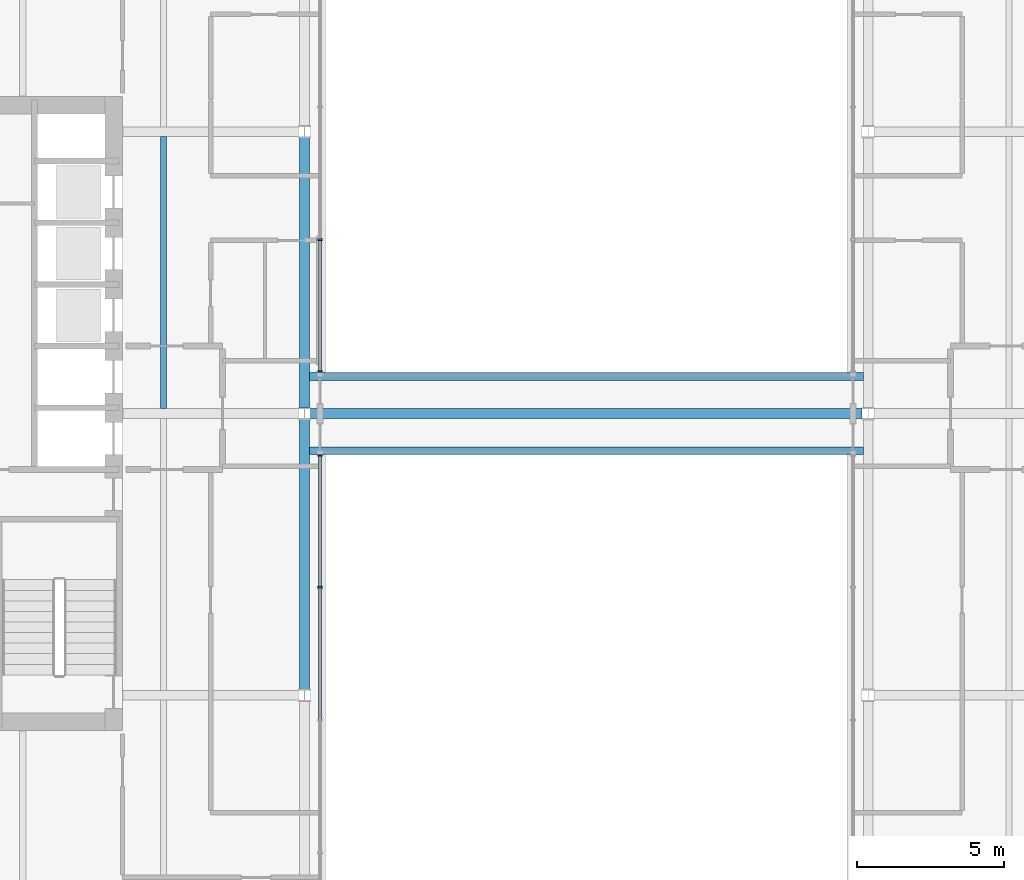
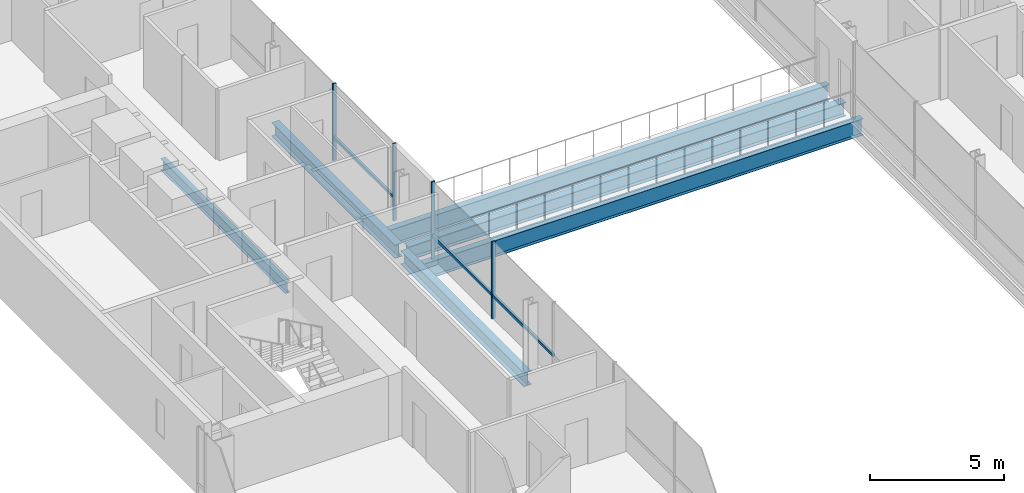
# One storey, part 3 of 21: 7 members, 6 beams, 2 elements without a shape of their own.
"""IFC4 building model written with IfcOpenShell, lengths in metres."""

import ifcopenshell
import ifcopenshell.guid

model = None  # the IFC model being written
_history = None  # IfcOwnerHistory: only IFC2X3 demands one
_inside = {}  # id of a spatial element -> (the spatial element, [elements in it])
_under = {}  # id of a project, library or spatial element -> (it, [spatial elements below it])
_declared = {}  # id of a project -> (the project, [libraries it declares])
_typed = {}  # id of a type object -> (the type object, [elements of that type])
_made_of = {}  # id of a material, layer set ... -> (it, [elements and type objects made of it])


def new_model(schema):
    """Start an empty IFC model of exactly this schema.

    Asked for "IFC4X3", IfcOpenShell would pick the latest addendum, in which some entities
    have other attributes; the version numbers below select the first issue.
    IFC2X3 requires an IfcOwnerHistory on every rooted entity: one is made here for all.
    """
    global model, _history
    if schema == "IFC4X3":
        model = ifcopenshell.file(schema_version=(4, 3, 0, 0))
    else:
        model = ifcopenshell.file(schema=schema)
    _inside.clear()
    _under.clear()
    _declared.clear()
    _typed.clear()
    _made_of.clear()
    _history = None
    if model.schema == "IFC2X3":
        org = make("IfcOrganization", Name="unknown")
        user = make(
            "IfcPersonAndOrganization",
            ThePerson=make("IfcPerson", FamilyName="unknown"),
            TheOrganization=org,
        )
        app = make(
            "IfcApplication",
            ApplicationDeveloper=org,
            Version="unknown",
            ApplicationFullName="unknown",
            ApplicationIdentifier="unknown",
        )
        _history = make(
            "IfcOwnerHistory",
            OwningUser=user,
            OwningApplication=app,
            ChangeAction="ADDED",
            CreationDate=0,
        )
    return model


def make(cls, **values):
    """One entity of the class cls with the attributes given. An attribute that is None is left unset."""
    return model.create_entity(
        cls, **{name: value for name, value in values.items() if value is not None}
    )


def rooted(cls, **values):
    """An entity with a GlobalId (a new one), such as an element, a storey or a relation."""
    return make(cls, GlobalId=ifcopenshell.guid.new(), OwnerHistory=_history, **values)


def si_unit(unit_type, name, prefix=None):
    """IfcSIUnit, for example si_unit("LENGTHUNIT", "METRE", prefix="MILLI")."""
    return make("IfcSIUnit", UnitType=unit_type, Prefix=prefix, Name=name)


def assignment(units):
    """IfcUnitAssignment: the units of a project."""
    return None if units is None else make("IfcUnitAssignment", Units=units)


def point(xyz):
    """IfcCartesianPoint."""
    return None if xyz is None else make("IfcCartesianPoint", Coordinates=xyz)


def direction(xyz):
    """IfcDirection."""
    return None if xyz is None else make("IfcDirection", DirectionRatios=xyz)


def frame(location, z_axis=None, x_axis=None):
    """IfcAxis2Placement3D, a coordinate frame: its origin and axes. An axis left out is left unset."""
    return make(
        "IfcAxis2Placement3D",
        Location=point(location),
        Axis=direction(z_axis),
        RefDirection=direction(x_axis),
    )


def frame_2d(location, x_axis=None):
    """IfcAxis2Placement2D, a coordinate frame in the plane: its origin and x axis."""
    return make(
        "IfcAxis2Placement2D", Location=point(location), RefDirection=direction(x_axis)
    )


def origin():
    """The frame at (0, 0, 0) with its axes left unset."""
    return frame((0.0, 0.0, 0.0))


def origin_2d():
    """The frame at (0, 0) in the plane with its x axis left unset."""
    return frame_2d((0.0, 0.0))


def place(relative_to, where):
    """IfcLocalPlacement: puts the frame where relative to a parent placement (None: the world)."""
    return make(
        "IfcLocalPlacement", PlacementRelTo=relative_to, RelativePlacement=where
    )


def context(
    kind, dimensions, precision=None, world=None, true_north=None, identifier=None
):
    """IfcGeometricRepresentationContext, for example the 3D "Model" context."""
    return make(
        "IfcGeometricRepresentationContext",
        ContextIdentifier=identifier,
        ContextType=kind,
        CoordinateSpaceDimension=dimensions,
        Precision=precision,
        WorldCoordinateSystem=world,
        TrueNorth=true_north,
    )


def subcontext(parent, identifier, kind, view, scale=None):
    """IfcGeometricRepresentationSubContext, for example "Body" below "Model"."""
    return make(
        "IfcGeometricRepresentationSubContext",
        ContextIdentifier=identifier,
        ContextType=kind,
        ParentContext=parent,
        TargetScale=scale,
        TargetView=view,
    )


def project(units=None, contexts=None):
    """IfcProject with its units and contexts."""
    return rooted(
        "IfcProject",
        Name="project",
        RepresentationContexts=contexts,
        UnitsInContext=assignment(units),
    )


def spatial(cls, under=None, at=None, **own):
    """A site, building, storey or space (cls), placed at a placement, below another one or the project."""
    s = rooted(cls, ObjectPlacement=at, **own)
    if under is not None:
        _under.setdefault(under.id(), (under, []))[1].append(s)
    return s


def profile(cls, at=None, kind="AREA", **sizes):
    """A parametric profile (cls). Its sizes go by their IFC names, for example OverallWidth=200.0."""
    return make(cls, ProfileType=kind, Position=at, **sizes)


def rectangle(**sizes):
    """IfcRectangleProfileDef."""
    return profile("IfcRectangleProfileDef", **sizes)


def i_section(**sizes):
    """IfcIShapeProfileDef."""
    return profile("IfcIShapeProfileDef", **sizes)


def extrude(swept, where, along, depth):
    """IfcExtrudedAreaSolid: the profile swept, set in the frame where, extruded along a direction by depth."""
    return make(
        "IfcExtrudedAreaSolid",
        SweptArea=swept,
        Position=where,
        ExtrudedDirection=direction(along),
        Depth=depth,
    )


def shape(context_of_items, identifier, shape_type, items):
    """IfcShapeRepresentation: the items that make up one representation, for example the "Body"."""
    return make(
        "IfcShapeRepresentation",
        ContextOfItems=context_of_items,
        RepresentationIdentifier=identifier,
        RepresentationType=shape_type,
        Items=items,
    )


def material(Name=None, Category=None):
    """IfcMaterial."""
    return make("IfcMaterial", Name=Name, Category=Category)


def material_profile(
    of_material, cross_section, Name=None, Category=None, Priority=None
):
    """IfcMaterialProfile: a cross section and its material."""
    return make(
        "IfcMaterialProfile",
        Name=Name,
        Material=of_material,
        Profile=cross_section,
        Priority=Priority,
        Category=Category,
    )


def profile_set(profiles, Name=None, composite=None):
    """IfcMaterialProfileSet."""
    return make(
        "IfcMaterialProfileSet",
        Name=Name,
        MaterialProfiles=profiles,
        CompositeProfile=composite,
    )


def made_of(thing, what):
    """Note that an element or type object is made of a material, layer set ...; save() writes the relation."""
    if what is not None:
        _made_of.setdefault(what.id(), (what, []))[1].append(thing)
    return thing


def type_object(cls, material=None, **own):
    """A type object (cls), such as IfcWallType, which elements share."""
    return made_of(rooted(cls, **own), material)


def element(
    cls,
    number,
    at=None,
    inside=None,
    cuts=None,
    type_object=None,
    material=None,
    context=None,
    identifier="Body",
    shape_type=None,
    held_by="IfcProductDefinitionShape",
    body=None,
    shapes=None,
    **own,
):
    """One element of the class cls, such as IfcWall. Its Tag is "e" and its number.

    at: its placement. inside: the storey or other place that contains it. cuts: it is an
    opening in that element (IfcRelVoidsElement). A single representation is given by context,
    identifier, shape_type and body (its items); several are given by shapes. held_by: the class
    of the entity that holds the representations. save() writes the other relations.
    """
    e = rooted(cls, Tag="e%d" % number, ObjectPlacement=at, **own)
    if body is not None:
        shapes = [shape(context, identifier, shape_type, body)]
    if shapes is not None:
        e.Representation = make(held_by, Representations=shapes)
    if inside is not None:
        _inside.setdefault(inside.id(), (inside, []))[1].append(e)
    if cuts is not None:
        rooted(
            "IfcRelVoidsElement", RelatingBuildingElement=cuts, RelatedOpeningElement=e
        )
    if type_object is not None:
        _typed.setdefault(type_object.id(), (type_object, []))[1].append(e)
    return made_of(e, material)


def aggregate(whole, parts):
    """IfcRelAggregates: a whole, such as a stair, and the parts it consists of."""
    return rooted("IfcRelAggregates", RelatingObject=whole, RelatedObjects=parts)


def save(model, path):
    """Write the relations noted so far, then the file.

    IfcRelAggregates (storeys below a building ...), IfcRelContainedInSpatialStructure (elements
    in a storey), IfcRelDefinesByType, IfcRelAssociatesMaterial and IfcRelDeclares: one each for
    every whole, place, type object, material and project.
    """
    for whole, parts in _under.values():
        aggregate(whole, parts)
    for where, things in _inside.values():
        rooted(
            "IfcRelContainedInSpatialStructure",
            RelatedElements=things,
            RelatingStructure=where,
        )
    for kind, things in _typed.values():
        rooted("IfcRelDefinesByType", RelatedObjects=things, RelatingType=kind)
    for what, things in _made_of.values():
        rooted("IfcRelAssociatesMaterial", RelatedObjects=things, RelatingMaterial=what)
    for by, libraries in _declared.values():
        rooted("IfcRelDeclares", RelatingContext=by, RelatedDefinitions=libraries)
    model.write(path)


model = new_model("IFC4")

# Units and contexts
model_context = context("Model", 3, precision=1e-05, world=origin(), true_north=direction((0.0, 1.0)))
body_context = subcontext(model_context, "Body", "Model", "MODEL_VIEW")
ifc_project = project(units=[si_unit("LENGTHUNIT", "METRE"), si_unit("AREAUNIT", "SQUARE_METRE"), si_unit("VOLUMEUNIT", "CUBIC_METRE"), si_unit("PLANEANGLEUNIT", "RADIAN"), si_unit("MASSUNIT", "GRAM", prefix="KILO")], contexts=[model_context])

# Site, building, storey
site_placement = place(None, origin())
site = spatial("IfcSite", under=ifc_project, at=site_placement, CompositionType="ELEMENT")
building_placement = place(site_placement, origin())
building = spatial("IfcBuilding", under=site, at=building_placement, Name="Cobrizo Arcos Hotel Tower", CompositionType="ELEMENT")
storey_placement = place(building_placement, frame((0.0, 0.0, 81.0)))
storey = spatial("IfcBuildingStorey", under=building, at=storey_placement, Name="L19", CompositionType="ELEMENT", Elevation=81.0)

# Curtain wall, members
ifc_material_1 = material(Name="Aluminium 6063-T6 anodised bronze", Category="aluminium")
curtain_wall_type = type_object("IfcCurtainWallType", Name="CW-F void screen", PredefinedType="NOTDEFINED", material=ifc_material_1)
curtain_wall_1_placement = place(storey_placement, origin())
curtain_wall_1 = element("IfcCurtainWall", 1, at=curtain_wall_1_placement, inside=storey, type_object=curtain_wall_type, Name="CW-F L19 void screen A", PredefinedType="NOTDEFINED")
ifc_material_profile_1 = material_profile(ifc_material_1, rectangle(XDim=0.14990234375, YDim=0.06005859375, at=origin_2d()), Name="CW-F mullion 150x60")
ifc_profile_set_1 = profile_set([ifc_material_profile_1], Name="Aluminium 6063-T6 anodised bronze")
member_type_1 = type_object("IfcMemberType", Name="CW-F mullion 150x60", PredefinedType="MULLION", material=ifc_profile_set_1)
member_1_placement = place(storey_placement, frame((-9.074951171875, 5.919921875, 0.0), z_axis=(0.0, 0.0, 1.0), x_axis=(-1.0, 0.0, 0.0)))
member_1 = element("IfcMember", 2, at=member_1_placement, type_object=member_type_1, Name="CW-F mullion 5", PredefinedType="MULLION", context=body_context, shape_type="SweptSolid", body=[
    extrude(rectangle(XDim=0.14990234375, YDim=0.06005859375, at=origin_2d()), origin(), (0.0, 0.0, 1.0), 3.5),
])
member_2_placement = place(storey_placement, frame((-9.074951171875, 1.429931640625, 0.0), z_axis=(0.0, 0.0, 1.0), x_axis=(-1.0, 0.0, 0.0)))
member_2 = element("IfcMember", 3, at=member_2_placement, type_object=member_type_1, Name="CW-F mullion 6", PredefinedType="MULLION", context=body_context, shape_type="SweptSolid", body=[
    extrude(rectangle(XDim=0.14990234375, YDim=0.06005859375, at=origin_2d()), origin(), (0.0, 0.0, 1.0), 3.5),
])

curtain_wall_2_placement = place(storey_placement, origin())
curtain_wall_2 = element("IfcCurtainWall", 4, at=curtain_wall_2_placement, inside=storey, type_object=curtain_wall_type, Name="CW-F L19 void screen A", PredefinedType="NOTDEFINED")
member_3_placement = place(storey_placement, frame((-9.074951171875, -1.429931640625, 0.0), z_axis=(0.0, 0.0, 1.0), x_axis=(-1.0, 0.0, 0.0)))
member_3 = element("IfcMember", 5, at=member_3_placement, type_object=member_type_1, Name="CW-F mullion 1", PredefinedType="MULLION", context=body_context, shape_type="SweptSolid", body=[
    extrude(rectangle(XDim=0.14990234375, YDim=0.06005859375, at=origin_2d()), origin(), (0.0, 0.0, 1.0), 3.5),
])
member_4_placement = place(storey_placement, frame((-9.074951171875, -5.919921875, 0.0), z_axis=(0.0, 0.0, 1.0), x_axis=(-1.0, 0.0, 0.0)))
member_4 = element("IfcMember", 6, at=member_4_placement, type_object=member_type_1, Name="CW-F mullion 2", PredefinedType="MULLION", context=body_context, shape_type="SweptSolid", body=[
    extrude(rectangle(XDim=0.14990234375, YDim=0.06005859375, at=origin_2d()), origin(), (0.0, 0.0, 1.0), 3.5),
])

# Member
ifc_material_profile_2 = material_profile(ifc_material_1, rectangle(XDim=0.10009765625, YDim=0.1201171875, at=origin_2d()), Name="CW-F transom 120x100")
ifc_profile_set_2 = profile_set([ifc_material_profile_2], Name="Aluminium 6063-T6 anodised bronze")
member_type_2 = type_object("IfcMemberType", Name="CW-F transom 120x100", PredefinedType="USERDEFINED", material=ifc_profile_set_2)
member_5_placement = place(storey_placement, frame((-9.074951171875, 5.889892578125, 1.050048828125), z_axis=(0.0, -1.0, 0.0), x_axis=(1.0, 0.0, 0.0)))
member_5 = element("IfcMember", 7, at=member_5_placement, type_object=member_type_2, Name="CW-F transom 2562", ObjectType="TRANSOM", PredefinedType="USERDEFINED", context=body_context, shape_type="SweptSolid", body=[
    extrude(rectangle(XDim=0.10009765625, YDim=0.1201171875, at=origin_2d()), origin(), (0.0, 0.0, 1.0), 4.429931640625),
])

aggregate(curtain_wall_1, [member_1, member_2, member_5])

member_6_placement = place(storey_placement, frame((-9.074951171875, -1.4599609375, 1.050048828125), z_axis=(0.0, -1.0, 0.0), x_axis=(1.0, 0.0, 0.0)))
member_6 = element("IfcMember", 8, at=member_6_placement, type_object=member_type_2, Name="CW-F transom 2563", ObjectType="TRANSOM", PredefinedType="USERDEFINED", context=body_context, shape_type="SweptSolid", body=[
    extrude(rectangle(XDim=0.10009765625, YDim=0.1201171875, at=origin_2d()), origin(), (0.0, 0.0, 1.0), 4.429931640625),
])

member_7_placement = place(storey_placement, frame((-9.074951171875, -5.949951171875, 1.050048828125), z_axis=(0.0, -1.0, 0.0), x_axis=(1.0, 0.0, 0.0)))
member_7 = element("IfcMember", 9, at=member_7_placement, type_object=member_type_2, Name="CW-F transom 2564", ObjectType="TRANSOM", PredefinedType="USERDEFINED", context=body_context, shape_type="SweptSolid", body=[
    extrude(rectangle(XDim=0.10009765625, YDim=0.1201171875, at=origin_2d()), origin(), (0.0, 0.0, 1.0), 4.4599609375),
])

aggregate(curtain_wall_2, [member_3, member_4, member_6, member_7])

# Beams
ifc_material_2 = material(Name="Steel ASTM A992 Grade 50", Category="steel")
ifc_material_profile_3 = material_profile(ifc_material_2, i_section(OverallWidth=0.209228515625, OverallDepth=0.533447265625, WebThickness=0.01025390625, FlangeThickness=0.015625, at=origin_2d()), Name="W21X62")
ifc_profile_set_3 = profile_set([ifc_material_profile_3], Name="Steel ASTM A992 Grade 50")
beam_type_1 = type_object("IfcBeamType", Name="W21X62 joist", PredefinedType="JOIST", material=ifc_profile_set_3)
beam_1_placement = place(storey_placement, frame((-14.39990234375, 0.163818359375, -0.416748046875), z_axis=(0.0, 1.0, 0.0), x_axis=(-1.0, 0.0, 0.0)))
element("IfcBeam", 10, at=beam_1_placement, inside=storey, type_object=beam_type_1, Name="Floor joist J1, L19, no. 005", PredefinedType="JOIST", context=body_context, shape_type="SweptSolid", body=[
    extrude(i_section(OverallWidth=0.209228515625, OverallDepth=0.533447265625, WebThickness=0.01025390625, FlangeThickness=0.015625, at=origin_2d()), origin(), (0.0, 0.0, 1.0), 9.272216796875),
])
ifc_material_profile_4 = material_profile(ifc_material_2, i_section(OverallWidth=0.32763671875, OverallDepth=0.622314453125, WebThickness=0.015380859375, FlangeThickness=0.0244140625, at=origin_2d()), Name="W24X131")
ifc_profile_set_4 = profile_set([ifc_material_profile_4], Name="Steel ASTM A992 Grade 50")
beam_type_2 = type_object("IfcBeamType", Name="W24X131 girder", PredefinedType="BEAM", material=ifc_profile_set_4)
beam_2_placement = place(storey_placement, frame((-9.3955078125, 0.0, -0.461181640625), z_axis=(1.0, 0.0, 0.0), x_axis=(0.0, 1.0, 0.0)))
element("IfcBeam", 11, at=beam_2_placement, inside=storey, type_object=beam_type_2, Name="Floor girder G1, L19, no. 004", PredefinedType="BEAM", context=body_context, shape_type="SweptSolid", body=[
    extrude(i_section(OverallWidth=0.32763671875, OverallDepth=0.622314453125, WebThickness=0.015380859375, FlangeThickness=0.0244140625, at=origin_2d()), origin(), (0.0, 0.0, 1.0), 18.791015625),
])
for number, where, z_axis, x_axis, name in (
    (12, (-9.60009765625, -9.3955078125, -0.461181640625), (0.0, 1.0, 0.0), (-1.0, 0.0, 0.0), "Floor girder G1, L19, no. 009"),
    (13, (-9.60009765625, 0.204345703125, -0.461181640625), (0.0, 1.0, 0.0), (-1.0, 0.0, 0.0), "Floor girder G1, L19, no. 010"),
):
    element("IfcBeam", number, at=place(storey_placement, frame(where, z_axis=z_axis, x_axis=x_axis)), inside=storey, type_object=beam_type_2, Name=name, PredefinedType="BEAM", context=body_context, shape_type="SweptSolid", body=[
        extrude(i_section(OverallWidth=0.32763671875, OverallDepth=0.622314453125, WebThickness=0.015380859375, FlangeThickness=0.0244140625, at=origin_2d()), origin(), (0.0, 0.0, 1.0), 9.191162109375),
    ])
ifc_material_profile_5 = material_profile(ifc_material_2, i_section(OverallWidth=0.2666015625, OverallDepth=0.7568359375, WebThickness=0.013916015625, FlangeThickness=0.019287109375, at=origin_2d()), Name="W30X108")
ifc_profile_set_5 = profile_set([ifc_material_profile_5], Name="Steel ASTM A992 Grade 50")
beam_type_3 = type_object("IfcBeamType", Name="W30X108 bridge girder", PredefinedType="BEAM", material=ifc_profile_set_5)
for number, where, z_axis, x_axis, name in (
    (14, (-9.43603515625, -1.2666015625, -0.528564453125), (1.0, 0.0, 0.0), (0.0, 1.0, 0.0), "Bridge girder BG1, L19, no. 001"),
    (15, (-9.43603515625, 1.2666015625, -0.528564453125), (1.0, 0.0, 0.0), (0.0, 1.0, 0.0), "Bridge girder BG1, L19, no. 002"),
):
    element("IfcBeam", number, at=place(storey_placement, frame(where, z_axis=z_axis, x_axis=x_axis)), inside=storey, type_object=beam_type_3, Name=name, PredefinedType="BEAM", context=body_context, shape_type="SweptSolid", body=[
        extrude(i_section(OverallWidth=0.2666015625, OverallDepth=0.7568359375, WebThickness=0.013916015625, FlangeThickness=0.019287109375, at=origin_2d()), origin(), (0.0, 0.0, 1.0), 18.8720703125),
    ])

save(model, "model.ifc")
